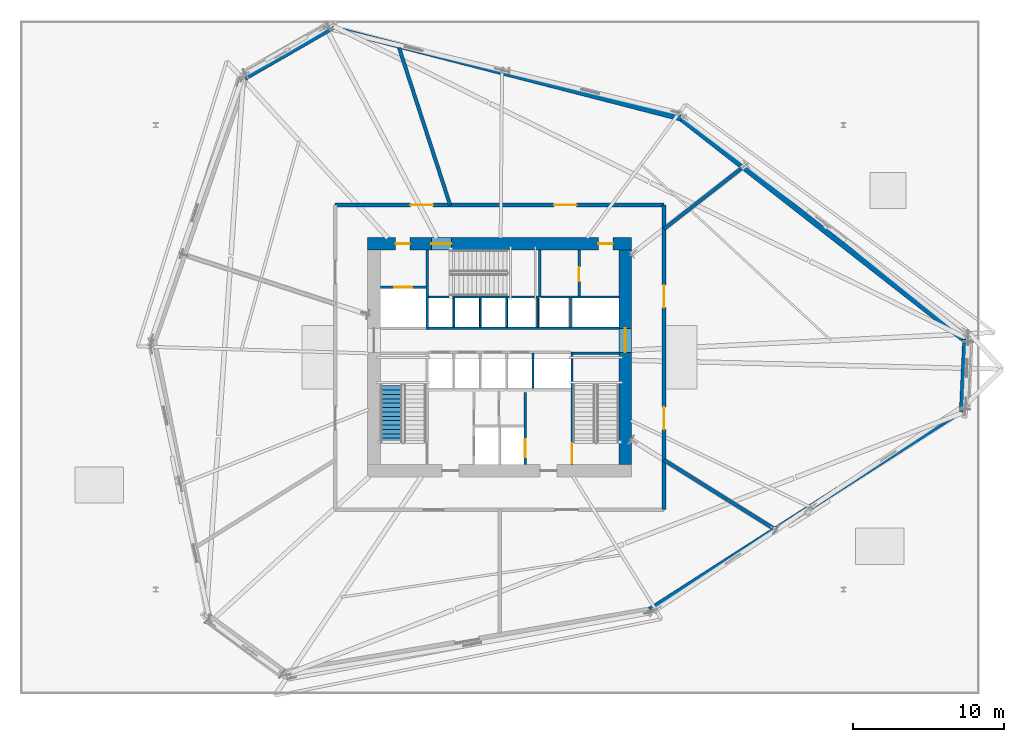
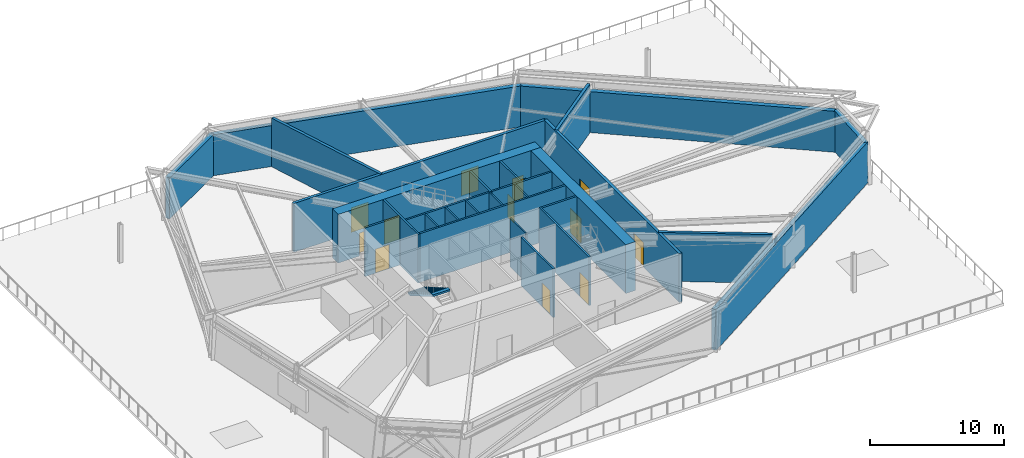
# One storey, part 14 of 20: 28 walls, 12 doors, 1 stair flight, 12 openings, 1 element without a shape of its own.
"""IFC4 building model written with IfcOpenShell, lengths in metres."""

from ifc_helpers import new_model, si_unit, direction, frame, frame_2d, origin, place, context, subcontext, project, spatial, polyline, rectangle, outline, extrude, source, transform, mapped, material, layer, layer_set, type_object, type_shapes, element, fill, aggregate, save


model = new_model("IFC4")

# Units and contexts
model_context = context("Model", 3, precision=1e-05, world=origin(), true_north=direction((0.0, 1.0)))
body_context = subcontext(model_context, "Body", "Model", "MODEL_VIEW")
ifc_project = project(units=[si_unit("LENGTHUNIT", "METRE"), si_unit("AREAUNIT", "SQUARE_METRE"), si_unit("VOLUMEUNIT", "CUBIC_METRE"), si_unit("PLANEANGLEUNIT", "RADIAN"), si_unit("MASSUNIT", "GRAM", prefix="KILO")], contexts=[model_context])

# Site, building, storey
site_placement = place(None, origin())
site = spatial("IfcSite", under=ifc_project, at=site_placement, CompositionType="ELEMENT")
building_placement = place(site_placement, origin())
building = spatial("IfcBuilding", under=site, at=building_placement, Name="Olszyna Solenne Hotel", CompositionType="ELEMENT")
storey_placement = place(building_placement, frame((0.0, 0.0, 24.60009765625)))
storey = spatial("IfcBuildingStorey", under=building, at=storey_placement, Name="L05", CompositionType="ELEMENT", Elevation=24.60009765625)

# Wall, openings, doors
ifc_material_1 = material(Name="Concrete C60/75", Category="concrete")
ifc_layer_1 = layer(ifc_material_1, 0.85009765625, Name="Concrete C60/75")
ifc_layer_set_1 = layer_set([ifc_layer_1], Name="Concrete C60/75")
wall_type_1 = type_object("IfcWallType", Name="WL-CR850", PredefinedType="SHEAR", material=ifc_layer_set_1)
wall_1_placement = place(storey_placement, frame((29.25, 34.125, 0.0), z_axis=(0.0, 0.0, 1.0), x_axis=(1.0, 0.0, 0.0)))
wall_1 = element("IfcWall", 1, at=wall_1_placement, inside=storey, type_object=wall_type_1, Name="Core shear wall WL-CR850 CRW-L05-N", PredefinedType="SHEAR", context=body_context, shape_type="SweptSolid", body=[
    extrude(rectangle(XDim=17.5, YDim=0.85009765625, at=frame_2d((8.75, 0.0))), origin(), (0.0, 0.0, 1.0), 4.449951171875),
])
opening_1_placement = place(wall_1_placement, frame((1.85009765625, 0.0, 0.0)))
opening_1 = element("IfcOpeningElement", 2, at=opening_1_placement, cuts=wall_1, Name="Opening SVD-L05-01", PredefinedType="OPENING", context=body_context, shape_type="SweptSolid", body=[
    extrude(rectangle(XDim=0.949951171875, YDim=2.10009765625, at=frame_2d((0.47509765625, 1.050048828125))), frame((0.0, 0.43505859375, 0.0), z_axis=(0.0, -1.0, 0.0), x_axis=(1.0, 0.0, 0.0)), (0.0, 0.0, 1.0), 0.8701171875),
])
opening_2_placement = place(wall_1_placement, frame((4.22998046875, 0.0, 0.0)))
opening_2 = element("IfcOpeningElement", 3, at=opening_2_placement, cuts=wall_1, Name="Opening STD-L05-03", PredefinedType="OPENING", context=body_context, shape_type="SweptSolid", body=[
    extrude(rectangle(XDim=1.320068359375, YDim=2.199951171875, at=frame_2d((0.66015625, 1.10009765625))), frame((0.0, 0.43505859375, 0.0), z_axis=(0.0, -1.0, 0.0), x_axis=(1.0, 0.0, 0.0)), (0.0, 0.0, 1.0), 0.8701171875),
])
opening_3_placement = place(wall_1_placement, frame((15.300048828125, 0.0, 0.0)))
opening_3 = element("IfcOpeningElement", 4, at=opening_3_placement, cuts=wall_1, Name="Opening SVD-L05-BN", PredefinedType="OPENING", context=body_context, shape_type="SweptSolid", body=[
    extrude(rectangle(XDim=0.949951171875, YDim=2.10009765625, at=frame_2d((0.47509765625, 1.050048828125))), frame((0.0, 0.43505859375, 0.0), z_axis=(0.0, -1.0, 0.0), x_axis=(1.0, 0.0, 0.0)), (0.0, 0.0, 1.0), 0.8701171875),
])
ifc_material_2 = material(Name="Steel S355J2", Category="steel")
door_type_1 = type_object("IfcDoorType", Name="DR-ST1", OperationType="NOTDEFINED", PredefinedType="DOOR", material=ifc_material_2)
shared_shape_1 = source(origin(), body_context, "Body", "SweptSolid", [
    extrude(rectangle(XDim=1.320068359375, YDim=2.199951171875, at=frame_2d((0.66015625, 1.10009765625))), frame((0.0, 0.02490234375, 0.0), z_axis=(0.0, -1.0, 0.0), x_axis=(1.0, 0.0, 0.0)), (0.0, 0.0, 1.0), 0.050048828125),
])
type_shapes(door_type_1, [shared_shape_1])
door_1_placement = place(opening_2_placement, origin())
door_1 = element("IfcDoor", 5, at=door_1_placement, inside=storey, type_object=door_type_1, Name="Pressurised exit stair ST3 fire door STD-L05-03", OperationType="SINGLE_SWING_RIGHT", OverallHeight=2.199951171875, OverallWidth=1.320068359375, PredefinedType="DOOR", context=body_context, shape_type="MappedRepresentation", body=[
    mapped(shared_shape_1, transform((0.0, 0.0, 0.0), x_axis=(1.0, 0.0, 0.0), y_axis=(0.0, 1.0, 0.0), z_axis=(0.0, 0.0, 1.0), scale=1.0)),
])
fill(opening_2, door_1)
door_type_2 = type_object("IfcDoorType", Name="DR-SV1", OperationType="NOTDEFINED", PredefinedType="DOOR", material=ifc_material_2)
shared_shape_2 = source(origin(), body_context, "Body", "SweptSolid", [
    extrude(rectangle(XDim=0.949951171875, YDim=2.10009765625, at=frame_2d((0.47509765625, 1.050048828125))), frame((0.0, 0.02490234375, 0.0), z_axis=(0.0, -1.0, 0.0), x_axis=(1.0, 0.0, 0.0)), (0.0, 0.0, 1.0), 0.050048828125),
])
type_shapes(door_type_2, [shared_shape_2])
door_2_placement = place(opening_1_placement, origin())
door_2 = element("IfcDoor", 6, at=door_2_placement, inside=storey, type_object=door_type_2, Name="Service lift lobby fire door SVD-L05-01", OperationType="SINGLE_SWING_LEFT", OverallHeight=2.10009765625, OverallWidth=0.949951171875, PredefinedType="DOOR", context=body_context, shape_type="MappedRepresentation", body=[
    mapped(shared_shape_2, transform((0.0, 0.0, 0.0), x_axis=(1.0, 0.0, 0.0), y_axis=(0.0, 1.0, 0.0), z_axis=(0.0, 0.0, 1.0), scale=1.0)),
])
fill(opening_1, door_2)
door_3_placement = place(opening_3_placement, origin())
door_3 = element("IfcDoor", 7, at=door_3_placement, inside=storey, type_object=door_type_2, Name="Housekeeping core fire door SVD-L05-BN", OperationType="SINGLE_SWING_LEFT", OverallHeight=2.10009765625, OverallWidth=0.949951171875, PredefinedType="DOOR", context=body_context, shape_type="MappedRepresentation", body=[
    mapped(shared_shape_2, transform((0.0, 0.0, 0.0), x_axis=(1.0, 0.0, 0.0), y_axis=(0.0, 1.0, 0.0), z_axis=(0.0, 0.0, 1.0), scale=1.0)),
])
fill(opening_3, door_3)

# Wall, opening, door
wall_2_placement = place(storey_placement, frame((46.324951171875, 33.699951171875, 0.0), z_axis=(0.0, 0.0, 1.0), x_axis=(0.0, -1.0, 0.0)))
wall_2 = element("IfcWall", 8, at=wall_2_placement, inside=storey, type_object=wall_type_1, Name="Core shear wall WL-CR850 CRW-L05-E", PredefinedType="SHEAR", context=body_context, shape_type="SweptSolid", body=[
    extrude(rectangle(XDim=14.199951171875, YDim=0.85009765625, at=frame_2d((7.10009765625, 0.0))), origin(), (0.0, 0.0, 1.0), 4.449951171875),
])
opening_4_placement = place(wall_2_placement, frame((5.179931640625, 0.0, 0.0)))
opening_4 = element("IfcOpeningElement", 9, at=opening_4_placement, cuts=wall_2, Name="Opening LHD-L05-E", PredefinedType="OPENING", context=body_context, shape_type="SweptSolid", body=[
    extrude(rectangle(XDim=1.60009765625, YDim=2.199951171875, at=frame_2d((0.800048828125, 1.10009765625))), frame((0.0, 0.43505859375, 0.0), z_axis=(0.0, -1.0, 0.0), x_axis=(1.0, 0.0, 0.0)), (0.0, 0.0, 1.0), 0.8701171875),
])
ifc_material_3 = material(Name="Timber hardwood", Category="wood")
door_type_3 = type_object("IfcDoorType", Name="DR-CR1", OperationType="DOUBLE_DOOR_SINGLE_SWING", PredefinedType="DOOR", material=ifc_material_3)
shared_shape_3 = source(origin(), body_context, "Body", "SweptSolid", [
    extrude(rectangle(XDim=1.60009765625, YDim=2.199951171875, at=frame_2d((0.800048828125, 1.10009765625))), frame((0.0, 0.02490234375, 0.0), z_axis=(0.0, -1.0, 0.0), x_axis=(1.0, 0.0, 0.0)), (0.0, 0.0, 1.0), 0.050048828125),
])
type_shapes(door_type_3, [shared_shape_3])
door_4_placement = place(opening_4_placement, origin())
door_4 = element("IfcDoor", 10, at=door_4_placement, inside=storey, type_object=door_type_3, Name="Passenger lift lobby East fire door LHD-L05-E", OperationType="DOUBLE_DOOR_SINGLE_SWING", OverallHeight=2.199951171875, OverallWidth=1.60009765625, PredefinedType="DOOR", context=body_context, shape_type="MappedRepresentation", body=[
    mapped(shared_shape_3, transform((0.0, 0.0, 0.0), x_axis=(1.0, 0.0, 0.0), y_axis=(0.0, 1.0, 0.0), z_axis=(0.0, 0.0, 1.0), scale=1.0)),
])
fill(opening_4, door_4)

# Walls
ifc_material_4 = material(Name="Terracotta cladding on precast concrete C45/55", Category="masonry")
ifc_layer_2 = layer(ifc_material_4, 0.3798828125, Name="Terracotta cladding on precast concrete C45/55")
ifc_layer_set_2 = layer_set([ifc_layer_2], Name="Terracotta cladding on precast concrete C45/55")
wall_type_2 = type_object("IfcWallType", Name="WL-EX380", PredefinedType="SOLIDWALL", material=ifc_layer_set_2)
wall_3_placement = place(storey_placement, frame((21.109130859375, 45.144775390625, 0.0), z_axis=(0.0, 0.0, 1.0), x_axis=(0.866875523959, 0.498524649301, 0.0)))
element("IfcWall", 11, at=wall_3_placement, inside=storey, type_object=wall_type_2, Name="Exterior terracotta-precast frame wall WL-EX380 EW-L05-05", PredefinedType="SOLIDWALL", context=body_context, shape_type="SweptSolid", body=[
    extrude(rectangle(XDim=6.684326171875, YDim=0.3798828125, at=frame_2d((3.34228515625, 0.0))), origin(), (0.0, 0.0, 1.0), 3.741943359375),
])
wall_4_placement = place(storey_placement, frame((26.76123046875, 48.457763671875, 0.0), z_axis=(0.0, 0.0, 1.0), x_axis=(0.968155984644, -0.250347736955, 0.0)))
element("IfcWall", 12, at=wall_4_placement, inside=storey, type_object=wall_type_2, Name="Exterior terracotta-precast frame wall WL-EX380 EW-L05-06", PredefinedType="SOLIDWALL", context=body_context, shape_type="SweptSolid", body=[
    extrude(rectangle(XDim=24.065185546875, YDim=0.3798828125, at=frame_2d((12.03271484375, 0.0))), origin(), (0.0, 0.0, 1.0), 3.741943359375),
])
wall_5_placement = place(storey_placement, frame((49.99072265625, 42.46728515625, 0.0), z_axis=(0.0, 0.0, 1.0), x_axis=(0.788071128721, -0.615584190892, 0.0)))
element("IfcWall", 13, at=wall_5_placement, inside=storey, type_object=wall_type_2, Name="Exterior terracotta-precast frame wall WL-EX380 EW-L05-07", PredefinedType="SOLIDWALL", context=body_context, shape_type="SweptSolid", body=[
    extrude(rectangle(XDim=24.06494140625, YDim=0.3798828125, at=frame_2d((12.032470703125, 0.0))), origin(), (0.0, 0.0, 1.0), 3.741943359375),
])
wall_6_placement = place(storey_placement, frame((68.8828125, 27.811279296875, 0.0), z_axis=(0.0, 0.0, 1.0), x_axis=(-0.044496042755, -0.999009560604, 0.0)))
element("IfcWall", 14, at=wall_6_placement, inside=storey, type_object=wall_type_2, Name="Exterior terracotta-precast frame wall WL-EX380 EW-L05-08", PredefinedType="SOLIDWALL", context=body_context, shape_type="SweptSolid", body=[
    extrude(rectangle(XDim=4.822998046875, YDim=0.3798828125, at=frame_2d((2.41162109375, 0.0))), origin(), (0.0, 0.0, 1.0), 3.741943359375),
])
wall_7_placement = place(storey_placement, frame((68.755615234375, 23.144775390625, 0.0), z_axis=(0.0, 0.0, 1.0), x_axis=(-0.842494342466, -0.538705191095, 0.0)))
element("IfcWall", 15, at=wall_7_placement, inside=storey, type_object=wall_type_2, Name="Exterior terracotta-precast frame wall WL-EX380 EW-L05-09", PredefinedType="SOLIDWALL", context=body_context, shape_type="SweptSolid", body=[
    extrude(rectangle(XDim=24.693115234375, YDim=0.3798828125, at=frame_2d((12.3466796875, 0.0))), origin(), (0.0, 0.0, 1.0), 3.741943359375),
])
ifc_material_5 = material(Name="Acoustic gypsum partition", Category="gypsum")
ifc_layer_3 = layer(ifc_material_5, 0.125, Name="Acoustic gypsum partition")
ifc_layer_set_3 = layer_set([ifc_layer_3], Name="Acoustic gypsum partition")
wall_type_3 = type_object("IfcWallType", Name="WL-PT125", PredefinedType="PARTITIONING", material=ifc_layer_set_3)
wall_8_placement = place(storey_placement, frame((40.215087890625, 24.56005859375, 0.0), z_axis=(0.0, 0.0, 1.0), x_axis=(0.0, 1.0, 0.0)))
element("IfcWall", 16, at=wall_8_placement, inside=storey, type_object=wall_type_3, Name="Core shaft compartment wall CW-L05-DIVS402", PredefinedType="PARTITIONING", context=body_context, shape_type="SweptSolid", body=[
    extrude(rectangle(XDim=2.31005859375, YDim=0.125, at=frame_2d((1.155029296875, 0.0))), origin(), (0.0, 0.0, 1.0), 4.449951171875),
])
for number, where, z_axis, x_axis, name in (
    (17, (34.965087890625, 28.60009765625, 0.0), (0.0, 0.0, 1.0), (0.0, 1.0, 0.0), "Core shaft compartment wall CW-L05-DIVN349"),
    (18, (36.715087890625, 28.60009765625, 0.0), (0.0, 0.0, 1.0), (0.0, 1.0, 0.0), "Core shaft compartment wall CW-L05-DIVN367"),
    (19, (38.465087890625, 28.60009765625, 0.0), (0.0, 0.0, 1.0), (0.0, 1.0, 0.0), "Core shaft compartment wall CW-L05-DIVN384"),
    (20, (40.52490234375, 28.60009765625, 0.0), (0.0, 0.0, 1.0), (0.0, 1.0, 0.0), "Core shaft compartment wall CW-L05-DIVEX405"),
    (21, (42.699951171875, 28.60009765625, 0.0), (0.0, 0.0, 1.0), (0.0, 1.0, 0.0), "Core shaft compartment wall CW-L05-DIVEX427"),
):
    element("IfcWall", number, at=place(storey_placement, frame(where, z_axis=z_axis, x_axis=x_axis)), inside=storey, type_object=wall_type_3, Name=name, PredefinedType="PARTITIONING", context=body_context, shape_type="SweptSolid", body=[
        extrude(rectangle(XDim=1.919921875, YDim=0.125, at=frame_2d((0.9599609375, 0.0))), origin(), (0.0, 0.0, 1.0), 4.449951171875),
    ])

# Wall, opening, door
ifc_layer_4 = layer(ifc_material_5, 0.159912109375, Name="Acoustic gypsum partition")
ifc_layer_set_4 = layer_set([ifc_layer_4], Name="Acoustic gypsum partition")
wall_type_4 = type_object("IfcWallType", Name="WL-PT160", PredefinedType="PARTITIONING", material=ifc_layer_set_4)
wall_9_placement = place(storey_placement, frame((42.800048828125, 26.9599609375, 0.0), z_axis=(0.0, 0.0, 1.0), x_axis=(0.0, -1.0, 0.0)))
wall_9 = element("IfcWall", 22, at=wall_9_placement, inside=storey, type_object=wall_type_4, Name="Core shaft compartment wall CW-L05-ST2W", PredefinedType="PARTITIONING", context=body_context, shape_type="SweptSolid", body=[
    extrude(rectangle(XDim=7.4599609375, YDim=0.159912109375, at=frame_2d((3.72998046875, 0.0))), origin(), (0.0, 0.0, 1.0), 4.449951171875),
])
opening_5_placement = place(wall_9_placement, frame((6.06005859375, 0.0, 0.0)))
opening_5 = element("IfcOpeningElement", 23, at=opening_5_placement, cuts=wall_9, Name="Opening STD-L05-02", PredefinedType="OPENING", context=body_context, shape_type="SweptSolid", body=[
    extrude(rectangle(XDim=1.320068359375, YDim=2.199951171875, at=frame_2d((0.66015625, 1.10009765625))), frame((0.0, 0.08984375, 0.0), z_axis=(0.0, -1.0, 0.0), x_axis=(1.0, 0.0, 0.0)), (0.0, 0.0, 1.0), 0.179931640625),
])
door_5_placement = place(opening_5_placement, origin())
door_5 = element("IfcDoor", 24, at=door_5_placement, inside=storey, type_object=door_type_1, Name="Pressurised exit stair ST2 fire door STD-L05-02", OperationType="SINGLE_SWING_RIGHT", OverallHeight=2.199951171875, OverallWidth=1.320068359375, PredefinedType="DOOR", context=body_context, shape_type="MappedRepresentation", body=[
    mapped(shared_shape_1, transform((0.0, 0.0, 0.0), x_axis=(1.0, 0.0, 0.0), y_axis=(0.0, 1.0, 0.0), z_axis=(0.0, 0.0, 1.0), scale=1.0)),
])
fill(opening_5, door_5)

# Walls
wall_10_placement = place(storey_placement, frame((42.8798828125, 26.8798828125, 0.0), z_axis=(0.0, 0.0, 1.0), x_axis=(1.0, 0.0, 0.0)))
element("IfcWall", 25, at=wall_10_placement, inside=storey, type_object=wall_type_4, Name="Core shaft compartment wall CW-L05-ST2N", PredefinedType="PARTITIONING", context=body_context, shape_type="SweptSolid", body=[
    extrude(rectangle(XDim=3.02001953125, YDim=0.159912109375, at=frame_2d((1.510009765625, 0.0))), origin(), (0.0, 0.0, 1.0), 4.449951171875),
])
wall_11_placement = place(storey_placement, frame((33.280029296875, 30.60009765625, 0.0), z_axis=(0.0, 0.0, 1.0), x_axis=(1.0, 0.0, 0.0)))
element("IfcWall", 26, at=wall_11_placement, inside=storey, type_object=wall_type_4, Name="Core shaft compartment wall CW-L05-ST3S", PredefinedType="PARTITIONING", context=body_context, shape_type="SweptSolid", body=[
    extrude(rectangle(XDim=7.300048828125, YDim=0.159912109375, at=frame_2d((3.64990234375, 0.0))), origin(), (0.0, 0.0, 1.0), 4.449951171875),
])
wall_12_placement = place(storey_placement, frame((40.659912109375, 30.60009765625, 0.0), z_axis=(0.0, 0.0, 1.0), x_axis=(0.0, 1.0, 0.0)))
element("IfcWall", 27, at=wall_12_placement, inside=storey, type_object=wall_type_4, Name="Core shaft compartment wall CW-L05-ST3E", PredefinedType="PARTITIONING", context=body_context, shape_type="SweptSolid", body=[
    extrude(rectangle(XDim=3.099853515625, YDim=0.159912109375, at=frame_2d((1.5498046875, 0.0))), origin(), (0.0, 0.0, 1.0), 4.449951171875),
])

# Wall, opening, door
wall_13_placement = place(storey_placement, frame((39.699951171875, 24.280029296875, 0.0), z_axis=(0.0, 0.0, 1.0), x_axis=(0.0, -1.0, 0.0)))
wall_13 = element("IfcWall", 28, at=wall_13_placement, inside=storey, type_object=wall_type_4, Name="Core shaft compartment wall CW-L05-FF2E", PredefinedType="PARTITIONING", context=body_context, shape_type="SweptSolid", body=[
    extrude(rectangle(XDim=4.780029296875, YDim=0.159912109375, at=frame_2d((2.39013671875, 0.0))), origin(), (0.0, 0.0, 1.0), 4.449951171875),
])
opening_6_placement = place(wall_13_placement, frame((3.1201171875, 0.0, 0.0)))
opening_6 = element("IfcOpeningElement", 29, at=opening_6_placement, cuts=wall_13, Name="Opening LD-L05-FF2", PredefinedType="OPENING", context=body_context, shape_type="SweptSolid", body=[
    extrude(rectangle(XDim=1.199951171875, YDim=2.199951171875, at=frame_2d((0.60009765625, 1.10009765625))), frame((0.0, 0.08984375, 0.0), z_axis=(0.0, -1.0, 0.0), x_axis=(1.0, 0.0, 0.0)), (0.0, 0.0, 1.0), 0.179931640625),
])
door_type_4 = type_object("IfcDoorType", Name="LD-FF1", OperationType="DOUBLE_DOOR_SLIDING", PredefinedType="DOOR", material=ifc_material_2)
shared_shape_4 = source(origin(), body_context, "Body", "SweptSolid", [
    extrude(rectangle(XDim=1.199951171875, YDim=2.199951171875, at=frame_2d((0.60009765625, 1.10009765625))), frame((0.0, 0.02490234375, 0.0), z_axis=(0.0, -1.0, 0.0), x_axis=(1.0, 0.0, 0.0)), (0.0, 0.0, 1.0), 0.050048828125),
])
type_shapes(door_type_4, [shared_shape_4])
door_6_placement = place(opening_6_placement, origin())
door_6 = element("IfcDoor", 30, at=door_6_placement, inside=storey, type_object=door_type_4, Name="Firefighters lift FF2 sliding landing door LD-L05-FF2", OperationType="DOUBLE_DOOR_SLIDING", OverallHeight=2.199951171875, OverallWidth=1.199951171875, PredefinedType="DOOR", context=body_context, shape_type="MappedRepresentation", body=[
    mapped(shared_shape_4, transform((0.0, 0.0, 0.0), x_axis=(1.0, 0.0, 0.0), y_axis=(0.0, 1.0, 0.0), z_axis=(0.0, 0.0, 1.0), scale=1.0)),
])
fill(opening_6, door_6)

# Wall
wall_14_placement = place(storey_placement, frame((33.199951171875, 28.43994140625, 0.0), z_axis=(0.0, 0.0, 1.0), x_axis=(0.0, 1.0, 0.0)))
element("IfcWall", 31, at=wall_14_placement, inside=storey, type_object=wall_type_4, Name="Core shaft compartment wall CW-L05-SV1E", PredefinedType="PARTITIONING", context=body_context, shape_type="SweptSolid", body=[
    extrude(rectangle(XDim=5.260009765625, YDim=0.159912109375, at=frame_2d((2.6298828125, 0.0))), origin(), (0.0, 0.0, 1.0), 4.449951171875),
])

# Wall, opening, door
wall_15_placement = place(storey_placement, frame((30.10009765625, 31.239990234375, 0.0), z_axis=(0.0, 0.0, 1.0), x_axis=(1.0, 0.0, 0.0)))
wall_15 = element("IfcWall", 32, at=wall_15_placement, inside=storey, type_object=wall_type_4, Name="Core shaft compartment wall CW-L05-SV1N", PredefinedType="PARTITIONING", context=body_context, shape_type="SweptSolid", body=[
    extrude(rectangle(XDim=3.02001953125, YDim=0.159912109375, at=frame_2d((1.510009765625, 0.0))), origin(), (0.0, 0.0, 1.0), 4.449951171875),
])
opening_7_placement = place(wall_15_placement, frame((0.909912109375, 0.0, 0.0)))
opening_7 = element("IfcOpeningElement", 33, at=opening_7_placement, cuts=wall_15, Name="Opening LD-L05-SV1", PredefinedType="OPENING", context=body_context, shape_type="SweptSolid", body=[
    extrude(rectangle(XDim=1.199951171875, YDim=2.199951171875, at=frame_2d((0.60009765625, 1.10009765625))), frame((0.0, 0.08984375, 0.0), z_axis=(0.0, -1.0, 0.0), x_axis=(1.0, 0.0, 0.0)), (0.0, 0.0, 1.0), 0.179931640625),
])
door_7_placement = place(opening_7_placement, origin())
door_7 = element("IfcDoor", 34, at=door_7_placement, inside=storey, type_object=door_type_4, Name="Service lift SV1 sliding landing door LD-L05-SV1", OperationType="DOUBLE_DOOR_SLIDING", OverallHeight=2.199951171875, OverallWidth=1.199951171875, PredefinedType="DOOR", context=body_context, shape_type="MappedRepresentation", body=[
    mapped(shared_shape_4, transform((0.0, 0.0, 0.0), x_axis=(1.0, 0.0, 0.0), y_axis=(0.0, 1.0, 0.0), z_axis=(0.0, 0.0, 1.0), scale=1.0)),
])
fill(opening_7, door_7)

# Walls
wall_16_placement = place(storey_placement, frame((33.280029296875, 28.5400390625, 0.0), z_axis=(0.0, 0.0, 1.0), x_axis=(1.0, 0.0, 0.0)))
element("IfcWall", 35, at=wall_16_placement, inside=storey, type_object=wall_type_4, Name="Core shaft compartment wall CW-L05-LRN", PredefinedType="PARTITIONING", context=body_context, shape_type="SweptSolid", body=[
    extrude(rectangle(XDim=12.619873046875, YDim=0.159912109375, at=frame_2d((6.31005859375, 0.0))), origin(), (0.0, 0.0, 1.0), 4.449951171875),
])
wall_17_placement = place(storey_placement, frame((40.719970703125, 30.60009765625, 0.0), z_axis=(0.0, 0.0, 1.0), x_axis=(1.0, 0.0, 0.0)))
element("IfcWall", 36, at=wall_17_placement, inside=storey, type_object=wall_type_4, Name="Core shaft compartment wall CW-L05-LRNTOP", PredefinedType="PARTITIONING", context=body_context, shape_type="SweptSolid", body=[
    extrude(rectangle(XDim=5.179931640625, YDim=0.159912109375, at=frame_2d((2.58984375, 0.0))), origin(), (0.0, 0.0, 1.0), 4.449951171875),
])

# Wall, opening, door
wall_18_placement = place(storey_placement, frame((43.27001953125, 30.679931640625, 0.0), z_axis=(0.0, 0.0, 1.0), x_axis=(0.0, 1.0, 0.0)))
wall_18 = element("IfcWall", 37, at=wall_18_placement, inside=storey, type_object=wall_type_4, Name="Core shaft compartment wall CW-L05-BOH1", PredefinedType="PARTITIONING", context=body_context, shape_type="SweptSolid", body=[
    extrude(rectangle(XDim=3.02001953125, YDim=0.159912109375, at=frame_2d((1.510009765625, 0.0))), origin(), (0.0, 0.0, 1.0), 4.449951171875),
])
opening_8_placement = place(wall_18_placement, frame((0.949951171875, 0.0, 0.0)))
opening_8 = element("IfcOpeningElement", 38, at=opening_8_placement, cuts=wall_18, Name="Opening SVD-L05-BI1", PredefinedType="OPENING", context=body_context, shape_type="SweptSolid", body=[
    extrude(rectangle(XDim=0.949951171875, YDim=2.10009765625, at=frame_2d((0.47509765625, 1.050048828125))), frame((0.0, 0.08984375, 0.0), z_axis=(0.0, -1.0, 0.0), x_axis=(1.0, 0.0, 0.0)), (0.0, 0.0, 1.0), 0.179931640625),
])
door_8_placement = place(opening_8_placement, origin())
door_8 = element("IfcDoor", 39, at=door_8_placement, inside=storey, type_object=door_type_2, Name="BOH inter-room fire door SVD-L05-BI1", OperationType="SINGLE_SWING_LEFT", OverallHeight=2.10009765625, OverallWidth=0.949951171875, PredefinedType="DOOR", context=body_context, shape_type="MappedRepresentation", body=[
    mapped(shared_shape_2, transform((0.0, 0.0, 0.0), x_axis=(1.0, 0.0, 0.0), y_axis=(0.0, 1.0, 0.0), z_axis=(0.0, 0.0, 1.0), scale=1.0)),
])
fill(opening_8, door_8)

# Walls
ifc_layer_5 = layer(ifc_material_5, 0.239990234375, Name="Acoustic gypsum partition")
ifc_layer_set_5 = layer_set([ifc_layer_5], Name="Acoustic gypsum partition")
wall_type_5 = type_object("IfcWallType", Name="WL-PT240", PredefinedType="PARTITIONING", material=ifc_layer_set_5)
wall_19_placement = place(storey_placement, frame((48.89990234375, 19.788818359375, 0.0), z_axis=(0.0, 0.0, 1.0), x_axis=(0.848056079912, -0.52990648734, 0.0)))
element("IfcWall", 40, at=wall_19_placement, inside=storey, type_object=wall_type_5, Name="Interior acoustic partition WL-PT240 PW-L05-0320", PredefinedType="PARTITIONING", context=body_context, shape_type="SweptSolid", body=[
    extrude(rectangle(XDim=8.54541015625, YDim=0.239990234375, at=frame_2d((4.272705078125, 0.0))), origin(), (0.0, 0.0, 1.0), 4.449951171875),
])
wall_20_placement = place(storey_placement, frame((48.89990234375, 35.115966796875, 0.0), z_axis=(0.0, 0.0, 1.0), x_axis=(0.788019255292, 0.61565059351, 0.0)))
element("IfcWall", 41, at=wall_20_placement, inside=storey, type_object=wall_type_5, Name="Interior acoustic partition WL-PT240 PW-L05-0321", PredefinedType="PARTITIONING", context=body_context, shape_type="SweptSolid", body=[
    extrude(rectangle(XDim=6.50830078125, YDim=0.239990234375, at=frame_2d((3.254150390625, 0.0))), origin(), (0.0, 0.0, 1.0), 4.449951171875),
])
wall_21_placement = place(storey_placement, frame((34.71826171875, 36.699951171875, 0.0), z_axis=(0.0, 0.0, 1.0), x_axis=(-0.308999413899, 0.951062228358, 0.0)))
element("IfcWall", 42, at=wall_21_placement, inside=storey, type_object=wall_type_5, Name="Interior acoustic partition WL-PT240 PW-L05-0322", PredefinedType="PARTITIONING", context=body_context, shape_type="SweptSolid", body=[
    extrude(rectangle(XDim=10.95703125, YDim=0.239990234375, at=frame_2d((5.478515625, 0.0))), origin(), (0.0, 0.0, 1.0), 4.449951171875),
])

# Wall, openings, doors
wall_22_placement = place(storey_placement, frame((27.10009765625, 36.699951171875, 0.0), z_axis=(0.0, 0.0, 1.0), x_axis=(1.0, 0.0, 0.0)))
wall_22 = element("IfcWall", 43, at=wall_22_placement, inside=storey, type_object=wall_type_5, Name="Interior acoustic partition WL-PT240 PW-L05-0325", PredefinedType="PARTITIONING", context=body_context, shape_type="SweptSolid", body=[
    extrude(rectangle(XDim=21.7998046875, YDim=0.239990234375, at=frame_2d((10.89990234375, 0.0))), origin(), (0.0, 0.0, 1.0), 4.449951171875),
])
opening_9_placement = place(wall_22_placement, frame((4.989990234375, 0.0, 0.0)))
opening_9 = element("IfcOpeningElement", 44, at=opening_9_placement, cuts=wall_22, Name="Opening DR-L05-0070", PredefinedType="OPENING", context=body_context, shape_type="SweptSolid", body=[
    extrude(rectangle(XDim=1.5, YDim=2.25, at=frame_2d((0.75, 1.125))), frame((0.0, 0.1298828125, 0.0), z_axis=(0.0, -1.0, 0.0), x_axis=(1.0, 0.0, 0.0)), (0.0, 0.0, 1.0), 0.260009765625),
])
opening_10_placement = place(wall_22_placement, frame((14.510009765625, 0.0, 0.0)))
opening_10 = element("IfcOpeningElement", 45, at=opening_10_placement, cuts=wall_22, Name="Opening DR-L05-0071", PredefinedType="OPENING", context=body_context, shape_type="SweptSolid", body=[
    extrude(rectangle(XDim=1.5, YDim=2.25, at=frame_2d((0.75, 1.125))), frame((0.0, 0.1298828125, 0.0), z_axis=(0.0, -1.0, 0.0), x_axis=(1.0, 0.0, 0.0)), (0.0, 0.0, 1.0), 0.260009765625),
])
door_type_5 = type_object("IfcDoorType", Name="DR-PL1", OperationType="DOUBLE_DOOR_SINGLE_SWING", PredefinedType="DOOR", material=ifc_material_2)
shared_shape_5 = source(origin(), body_context, "Body", "SweptSolid", [
    extrude(rectangle(XDim=1.5, YDim=2.25, at=frame_2d((0.75, 1.125))), frame((0.0, 0.02490234375, 0.0), z_axis=(0.0, -1.0, 0.0), x_axis=(1.0, 0.0, 0.0)), (0.0, 0.0, 1.0), 0.050048828125),
])
type_shapes(door_type_5, [shared_shape_5])
door_9_placement = place(opening_9_placement, origin())
door_9 = element("IfcDoor", 46, at=door_9_placement, inside=storey, type_object=door_type_5, Name="Refuge / Plant Fire Door DR-L05-0070", OperationType="DOUBLE_DOOR_SINGLE_SWING", OverallHeight=2.25, OverallWidth=1.5, PredefinedType="DOOR", context=body_context, shape_type="MappedRepresentation", body=[
    mapped(shared_shape_5, transform((0.0, 0.0, 0.0), x_axis=(1.0, 0.0, 0.0), y_axis=(0.0, 1.0, 0.0), z_axis=(0.0, 0.0, 1.0), scale=1.0)),
])
fill(opening_9, door_9)
door_10_placement = place(opening_10_placement, origin())
door_10 = element("IfcDoor", 47, at=door_10_placement, inside=storey, type_object=door_type_5, Name="Refuge / Plant Fire Door DR-L05-0071", OperationType="DOUBLE_DOOR_SINGLE_SWING", OverallHeight=2.25, OverallWidth=1.5, PredefinedType="DOOR", context=body_context, shape_type="MappedRepresentation", body=[
    mapped(shared_shape_5, transform((0.0, 0.0, 0.0), x_axis=(1.0, 0.0, 0.0), y_axis=(0.0, 1.0, 0.0), z_axis=(0.0, 0.0, 1.0), scale=1.0)),
])
fill(opening_10, door_10)

wall_23_placement = place(storey_placement, frame((48.89990234375, 16.5, 0.0), z_axis=(0.0, 0.0, 1.0), x_axis=(0.0, 1.0, 0.0)))
wall_23 = element("IfcWall", 48, at=wall_23_placement, inside=storey, type_object=wall_type_5, Name="Interior acoustic partition WL-PT240 PW-L05-0327", PredefinedType="PARTITIONING", context=body_context, shape_type="SweptSolid", body=[
    extrude(rectangle(XDim=20.199951171875, YDim=0.239990234375, at=frame_2d((10.10009765625, 0.0))), origin(), (0.0, 0.0, 1.0), 4.449951171875),
])
opening_11_placement = place(wall_23_placement, frame((5.31005859375, 0.0, 0.0)))
opening_11 = element("IfcOpeningElement", 49, at=opening_11_placement, cuts=wall_23, Name="Opening DR-L05-0074", PredefinedType="OPENING", context=body_context, shape_type="SweptSolid", body=[
    extrude(rectangle(XDim=1.5, YDim=2.25, at=frame_2d((0.75, 1.125))), frame((0.0, 0.1298828125, 0.0), z_axis=(0.0, -1.0, 0.0), x_axis=(1.0, 0.0, 0.0)), (0.0, 0.0, 1.0), 0.260009765625),
])
opening_12_placement = place(wall_23_placement, frame((13.389892578125, 0.0, 0.0)))
opening_12 = element("IfcOpeningElement", 50, at=opening_12_placement, cuts=wall_23, Name="Opening DR-L05-0075", PredefinedType="OPENING", context=body_context, shape_type="SweptSolid", body=[
    extrude(rectangle(XDim=1.5, YDim=2.25, at=frame_2d((0.75, 1.125))), frame((0.0, 0.1298828125, 0.0), z_axis=(0.0, -1.0, 0.0), x_axis=(1.0, 0.0, 0.0)), (0.0, 0.0, 1.0), 0.260009765625),
])
door_11_placement = place(opening_11_placement, origin())
door_11 = element("IfcDoor", 51, at=door_11_placement, inside=storey, type_object=door_type_5, Name="Refuge / Plant Fire Door DR-L05-0074", OperationType="DOUBLE_DOOR_SINGLE_SWING", OverallHeight=2.25, OverallWidth=1.5, PredefinedType="DOOR", context=body_context, shape_type="MappedRepresentation", body=[
    mapped(shared_shape_5, transform((0.0, 0.0, 0.0), x_axis=(1.0, 0.0, 0.0), y_axis=(0.0, 1.0, 0.0), z_axis=(0.0, 0.0, 1.0), scale=1.0)),
])
fill(opening_11, door_11)
door_12_placement = place(opening_12_placement, origin())
door_12 = element("IfcDoor", 52, at=door_12_placement, inside=storey, type_object=door_type_5, Name="Refuge / Plant Fire Door DR-L05-0075", OperationType="DOUBLE_DOOR_SINGLE_SWING", OverallHeight=2.25, OverallWidth=1.5, PredefinedType="DOOR", context=body_context, shape_type="MappedRepresentation", body=[
    mapped(shared_shape_5, transform((0.0, 0.0, 0.0), x_axis=(1.0, 0.0, 0.0), y_axis=(0.0, 1.0, 0.0), z_axis=(0.0, 0.0, 1.0), scale=1.0)),
])
fill(opening_12, door_12)

# Stair, stair flight
ifc_material_6 = material(Name="Concrete C40/50", Category="concrete")
stair_type = type_object("IfcStairType", Name="STR-C1", PredefinedType="TWO_QUARTER_WINDING_STAIR", material=ifc_material_6)
stair_placement = place(storey_placement, origin())
stair = element("IfcStair", 53, at=stair_placement, inside=storey, type_object=stair_type, Name="L05 ST1", PredefinedType="TWO_QUARTER_WINDING_STAIR")
stair_flight_type = type_object("IfcStairFlightType", Name="FLT-C1", PredefinedType="STRAIGHT", material=ifc_material_6)
stair_flight_placement = place(storey_placement, frame((30.824951171875, 24.719970703125, 2.349853515625), z_axis=(0.0, 0.0, 1.0), x_axis=(0.0, -1.0, 0.0)))
stair_flight = element("IfcStairFlight", 54, at=stair_flight_placement, type_object=stair_flight_type, Name="ST1 flight 2", NumberOfRisers=14, NumberOfTreads=13, PredefinedType="STRAIGHT", RiserHeight=0.167857143, TreadLength=0.29, context=body_context, shape_type="SweptSolid", body=[
    extrude(outline(polyline([(0.0, 0.0), (0.0, 0.16796875), (0.2900390625, 0.16796875), (0.2900390625, 0.335693359375), (0.580078125, 0.335693359375), (0.580078125, 0.503662109375), (0.8701171875, 0.503662109375), (0.8701171875, 0.67138671875), (1.159912109375, 0.67138671875), (1.159912109375, 0.83935546875), (1.449951171875, 0.83935546875), (1.449951171875, 1.007080078125), (1.739990234375, 1.007080078125), (1.739990234375, 1.175048828125), (2.030029296875, 1.175048828125), (2.030029296875, 1.3427734375), (2.320068359375, 1.3427734375), (2.320068359375, 1.5107421875), (2.610107421875, 1.5107421875), (2.610107421875, 1.678466796875), (2.89990234375, 1.678466796875), (2.89990234375, 1.846435546875), (3.18994140625, 1.846435546875), (3.18994140625, 2.014404296875), (3.47998046875, 2.014404296875), (3.47998046875, 2.18212890625), (3.77001953125, 2.18212890625), (3.77001953125, 2.35009765625), (3.77001953125, 2.009033203125), (0.29931640625, 0.0), (0.0, 0.0)])), frame((0.0, 0.72509765625, 0.0), z_axis=(0.0, -1.0, 0.0), x_axis=(1.0, 0.0, 0.0)), (0.0, 0.0, 1.0), 1.449951171875),
])
aggregate(stair, [stair_flight])

save(model, "model.ifc")
